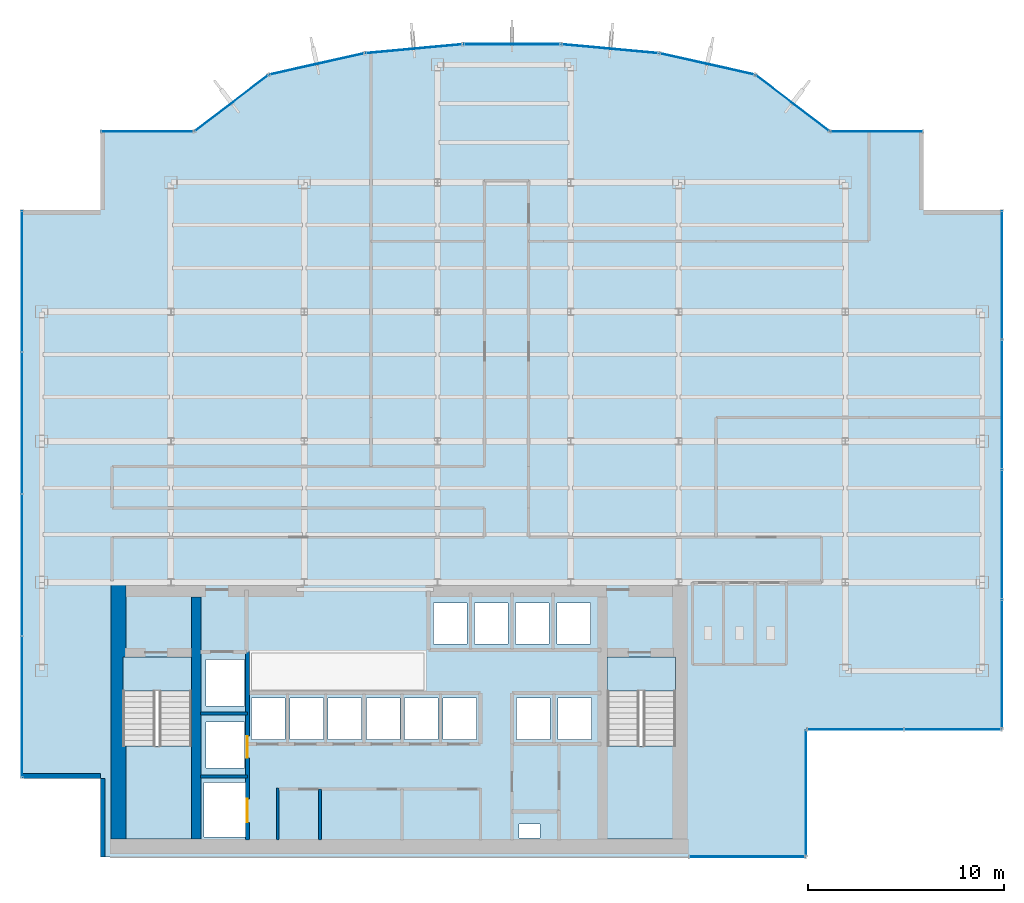
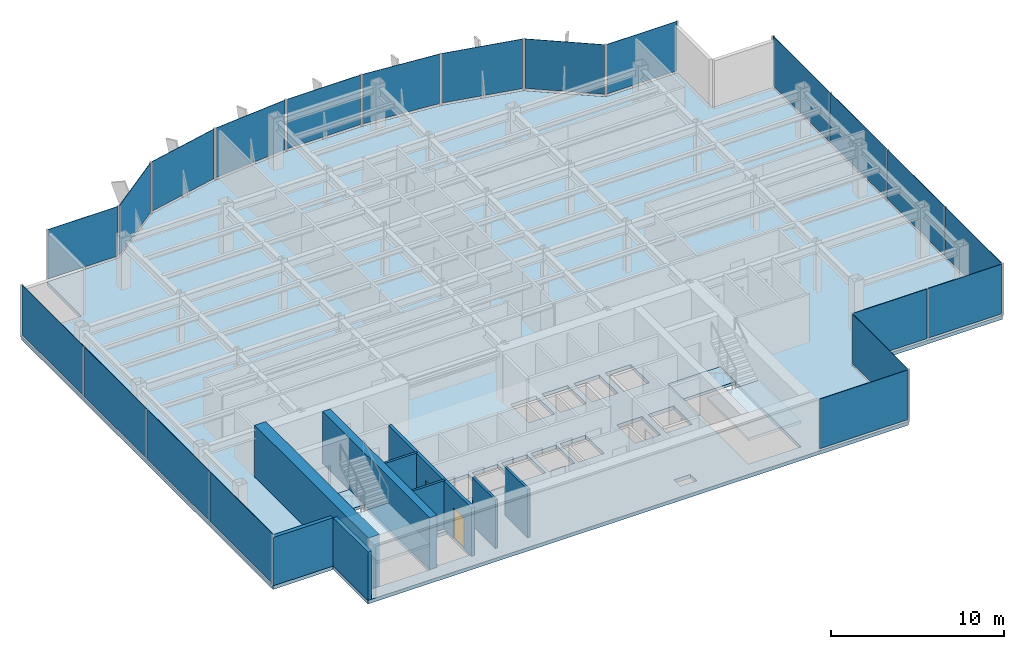
# One storey, part 19 of 25: 21 plates, 9 walls, 5 slabs, 2 doors, 2 openings, 16 elements without a shape of their own.
"""IFC4 building model written with IfcOpenShell, lengths in metres."""

from ifc_helpers import new_model, si_unit, derived_unit, direction, frame, frame_2d, origin, origin_2d, place, context, subcontext, project, spatial, polyline, rectangle, outline, extrude, source, transform, mapped, material, layer, layer_set, type_object, element, fill, aggregate, save


model = new_model("IFC4")

# Units and contexts
model_context = context("Model", 3, precision=1e-05, world=origin(), true_north=direction((0.0, 1.0)))
body_context = subcontext(model_context, "Body", "Model", "MODEL_VIEW")
ifc_project = project(units=[si_unit("LENGTHUNIT", "METRE"), si_unit("AREAUNIT", "SQUARE_METRE"), si_unit("VOLUMEUNIT", "CUBIC_METRE"), si_unit("PLANEANGLEUNIT", "RADIAN"), si_unit("MASSUNIT", "GRAM", prefix="KILO"), derived_unit("THERMALTRANSMITTANCEUNIT", [(si_unit("POWERUNIT", "WATT"), 1), (si_unit("LENGTHUNIT", "METRE"), -2), (si_unit("THERMODYNAMICTEMPERATUREUNIT", "KELVIN"), -1)])], contexts=[model_context])

# Site, building, storey
site_placement = place(None, origin())
site = spatial("IfcSite", under=ifc_project, at=site_placement, CompositionType="ELEMENT")
building_placement = place(site_placement, origin())
building = spatial("IfcBuilding", under=site, at=building_placement, Name="Skarnbrae Concourse Arena and Tower", CompositionType="ELEMENT")
storey_placement = place(building_placement, frame((0.0, 0.0, 147.89990234375)))
storey = spatial("IfcBuildingStorey", under=building, at=storey_placement, Name="L37", CompositionType="ELEMENT", Elevation=147.89990234375)

# Stair, slab
ifc_material_1 = material(Name="Concrete 40 MPa (C40/50)", Category="concrete")
stair_type = type_object("IfcStairType", Name="STAIR-DOGLEG-1650", PredefinedType="HALF_TURN_STAIR", material=ifc_material_1)
stair_1_placement = place(storey_placement, origin())
stair_1 = element("IfcStair", 1, at=stair_1_placement, inside=storey, type_object=stair_type, Name="L37 Protected Exit Stair ST-1", PredefinedType="HALF_TURN_STAIR")
ifc_layer_1 = layer(ifc_material_1, 0.199951171875)
ifc_layer_set_1 = layer_set([ifc_layer_1], Name="Concrete 40 MPa (C40/50)")
slab_type_1 = type_object("IfcSlabType", Name="SLAB-LANDING-200", PredefinedType="LANDING", material=ifc_layer_set_1)
slab_1_placement = place(storey_placement, frame((0.0, 0.0, 1.625)))
slab_1 = element("IfcSlab", 2, at=slab_1_placement, type_object=slab_type_1, Name="ST-1 landing 1", PredefinedType="LANDING", context=body_context, shape_type="SweptSolid", body=[
    extrude(outline(polyline([(5.14990234375, 5.64990234375), (5.14990234375, 0.89990234375), (8.64990234375, 0.89990234375), (8.64990234375, 5.64990234375), (5.14990234375, 5.64990234375)])), origin(), (0.0, 0.0, 1.0), 0.2001953125),
])
aggregate(stair_1, [slab_1])

stair_2_placement = place(storey_placement, origin())
stair_2 = element("IfcStair", 3, at=stair_2_placement, inside=storey, type_object=stair_type, Name="L37 Protected Exit Stair ST-2", PredefinedType="HALF_TURN_STAIR")
slab_2_placement = place(storey_placement, frame((0.0, 0.0, 1.625)))
slab_2 = element("IfcSlab", 4, at=slab_2_placement, type_object=slab_type_1, Name="ST-2 landing 1", PredefinedType="LANDING", context=body_context, shape_type="SweptSolid", body=[
    extrude(outline(polyline([(29.85009765625, 5.64990234375), (29.85009765625, 0.89990234375), (33.35009765625, 0.89990234375), (33.35009765625, 5.64990234375), (29.85009765625, 5.64990234375)])), origin(), (0.0, 0.0, 1.0), 0.2001953125),
])
aggregate(stair_2, [slab_2])

# Slabs
slab_3_placement = place(storey_placement, frame((0.0, 0.0, -0.199951171875)))
element("IfcSlab", 5, at=slab_3_placement, inside=storey, type_object=slab_type_1, Name="L37 Core stair ST1 floor landing", PredefinedType="LANDING", context=body_context, shape_type="SweptSolid", body=[
    extrude(outline(polyline([(5.14990234375, 10.199951171875), (5.14990234375, 8.449951171875), (8.64990234375, 8.449951171875), (8.64990234375, 10.199951171875), (5.14990234375, 10.199951171875)])), origin(), (0.0, 0.0, 1.0), 0.199951171875),
])
slab_4_placement = place(storey_placement, frame((0.0, 0.0, -0.199951171875)))
element("IfcSlab", 6, at=slab_4_placement, inside=storey, type_object=slab_type_1, Name="L37 Core stair ST2 floor landing", PredefinedType="LANDING", context=body_context, shape_type="SweptSolid", body=[
    extrude(outline(polyline([(29.85009765625, 10.199951171875), (29.85009765625, 8.449951171875), (33.35009765625, 8.449951171875), (33.35009765625, 10.199951171875), (29.85009765625, 10.199951171875)])), origin(), (0.0, 0.0, 1.0), 0.199951171875),
])
ifc_layer_2 = layer(ifc_material_1, 0.25)
ifc_layer_set_2 = layer_set([ifc_layer_2], Name="Concrete 40 MPa (C40/50)")
slab_type_2 = type_object("IfcSlabType", Name="SLAB-TOWER-250", PredefinedType="FLOOR", material=ifc_layer_set_2)
slab_5_placement = place(storey_placement, frame((0.0, 0.0, -0.25)))
element("IfcSlab", 7, at=slab_5_placement, inside=storey, type_object=slab_type_2, Name="L37 Structural floor slab", PredefinedType="FLOOR", context=body_context, shape_type="SweptSolid", body=[
    extrude(outline(polyline([(4.0, 0.0), (40.0, 0.0), (40.0, 6.5), (50.0, 6.5), (50.0, 33.0), (46.0, 33.0), (46.0, 37.0), (41.199951171875, 37.0), (37.409423828125, 39.892578125), (32.51220703125, 40.98681640625), (27.51123046875, 41.445556640625), (22.48876953125, 41.445556640625), (17.48779296875, 40.98681640625), (12.590576171875, 39.892578125), (8.800048828125, 37.0), (4.0, 37.0), (4.0, 33.0), (0.0, 33.0), (0.0, 4.0), (4.0, 4.0), (4.0, 0.0)]), holes=[polyline([(9.294921875, 3.780029296875), (11.455078125, 3.780029296875), (11.455078125, 1.02001953125), (9.294921875, 1.02001953125), (9.294921875, 3.780029296875)]), polyline([(8.64990234375, 10.199951171875), (8.64990234375, 0.89990234375), (5.14990234375, 0.89990234375), (5.14990234375, 10.199951171875), (8.64990234375, 10.199951171875)]), polyline([(9.39501953125, 6.8798828125), (11.35498046875, 6.8798828125), (11.35498046875, 4.52001953125), (9.39501953125, 4.52001953125), (9.39501953125, 6.8798828125)]), polyline([(11.719970703125, 8.10498046875), (13.429931640625, 8.10498046875), (13.429931640625, 5.9951171875), (11.719970703125, 5.9951171875), (11.719970703125, 8.10498046875)]), polyline([(13.669921875, 8.10498046875), (15.3798828125, 8.10498046875), (15.3798828125, 5.9951171875), (13.669921875, 5.9951171875), (13.669921875, 8.10498046875)]), polyline([(15.6201171875, 8.10498046875), (17.330078125, 8.10498046875), (17.330078125, 5.9951171875), (15.6201171875, 5.9951171875), (15.6201171875, 8.10498046875)]), polyline([(17.570068359375, 8.10498046875), (19.280029296875, 8.10498046875), (19.280029296875, 5.9951171875), (17.570068359375, 5.9951171875), (17.570068359375, 8.10498046875)]), polyline([(21.22998046875, 8.10498046875), (21.22998046875, 5.9951171875), (19.52001953125, 5.9951171875), (19.52001953125, 8.10498046875), (21.22998046875, 8.10498046875)]), polyline([(11.35498046875, 10.054931640625), (11.35498046875, 7.695068359375), (9.39501953125, 7.695068359375), (9.39501953125, 10.054931640625), (11.35498046875, 10.054931640625)]), polyline([(25.35009765625, 1.669921875), (26.43994140625, 1.669921875), (26.43994140625, 0.949951171875), (25.35009765625, 0.949951171875), (25.35009765625, 1.669921875)]), polyline([(33.35009765625, 10.199951171875), (33.35009765625, 0.89990234375), (29.85009765625, 0.89990234375), (29.85009765625, 10.199951171875), (33.35009765625, 10.199951171875)]), polyline([(21.469970703125, 8.10498046875), (23.179931640625, 8.10498046875), (23.179931640625, 5.9951171875), (21.469970703125, 5.9951171875), (21.469970703125, 8.10498046875)]), polyline([(25.235107421875, 8.10498046875), (26.945068359375, 8.10498046875), (26.945068359375, 5.9951171875), (25.235107421875, 5.9951171875), (25.235107421875, 8.10498046875)]), polyline([(27.3349609375, 8.10498046875), (29.044921875, 8.10498046875), (29.044921875, 5.9951171875), (27.3349609375, 5.9951171875), (27.3349609375, 8.10498046875)]), polyline([(20.985107421875, 12.955078125), (22.695068359375, 12.955078125), (22.695068359375, 10.844970703125), (20.985107421875, 10.844970703125), (20.985107421875, 12.955078125)]), polyline([(23.0849609375, 12.955078125), (24.794921875, 12.955078125), (24.794921875, 10.844970703125), (23.0849609375, 10.844970703125), (23.0849609375, 12.955078125)]), polyline([(26.89501953125, 12.955078125), (26.89501953125, 10.844970703125), (25.18505859375, 10.844970703125), (25.18505859375, 12.955078125), (26.89501953125, 12.955078125)]), polyline([(28.9951171875, 12.955078125), (28.9951171875, 10.844970703125), (27.284912109375, 10.844970703125), (27.284912109375, 12.955078125), (28.9951171875, 12.955078125)])]), origin(), (0.0, 0.0, 1.0), 0.25),
])

# Curtain wall, plates
ifc_material_2 = material(Name="Bronze anodised aluminium 6063-T6", Category="aluminium")
curtain_wall_type = type_object("IfcCurtainWallType", Name="CW-SYS-04-MIDZONE", PredefinedType="USERDEFINED", material=ifc_material_2)
curtain_wall_1_placement = place(storey_placement, origin())
curtain_wall_1 = element("IfcCurtainWall", 8, at=curtain_wall_1_placement, inside=storey, type_object=curtain_wall_type, Name="L37 Unitised curtain wall CW-L37-E03", ObjectType="UNITISED CURTAIN WALL", PredefinedType="USERDEFINED")
ifc_material_3 = material(Name="Low-E triple insulating glass", Category="glass")
ifc_layer_3 = layer(ifc_material_3, 0.031982421875)
ifc_layer_set_3 = layer_set([ifc_layer_3], Name="Low-E triple insulating glass")
plate_type = type_object("IfcPlateType", Name="CWP-CW-04", PredefinedType="CURTAIN_PANEL", material=ifc_layer_set_3)
shared_shape_1 = source(origin(), body_context, "Body", "SweptSolid", [
    extrude(rectangle(XDim=4.887451171875, YDim=0.031982421875, at=origin_2d()), origin(), (0.0, 0.0, 1.0), 3.489990234375),
])
plate_1_placement = place(storey_placement, frame((42.518798828125, 6.5, 0.16015625), z_axis=(0.0, 0.0, 1.0), x_axis=(1.0, 0.0, 0.0)))
plate_1 = element("IfcPlate", 9, at=plate_1_placement, type_object=plate_type, Name="CW-L37-E03 Low-E Glazing Panel 1", PredefinedType="CURTAIN_PANEL", context=body_context, shape_type="MappedRepresentation", body=[
    mapped(shared_shape_1, transform((0.0, 0.0, 0.0))),
])
plate_2_placement = place(storey_placement, frame((47.481201171875, 6.5, 0.16015625), z_axis=(0.0, 0.0, 1.0), x_axis=(1.0, 0.0, 0.0)))
plate_2 = element("IfcPlate", 10, at=plate_2_placement, type_object=plate_type, Name="CW-L37-E03 Low-E Glazing Panel 2", PredefinedType="CURTAIN_PANEL", context=body_context, shape_type="MappedRepresentation", body=[
    mapped(shared_shape_1, transform((0.0, 0.0, 0.0))),
])
aggregate(curtain_wall_1, [plate_1, plate_2])

# Curtain wall, plate
curtain_wall_2_placement = place(storey_placement, origin())
curtain_wall_2 = element("IfcCurtainWall", 11, at=curtain_wall_2_placement, inside=storey, type_object=curtain_wall_type, Name="L37 Unitised curtain wall CW-L37-SE-SPINE", ObjectType="UNITISED CURTAIN WALL", PredefinedType="USERDEFINED")
shared_shape_2 = source(origin(), body_context, "Body", "SweptSolid", [
    extrude(rectangle(XDim=5.85009765625, YDim=0.031982421875, at=origin_2d()), origin(), (0.0, 0.0, 1.0), 3.489990234375),
])
plate_3_placement = place(storey_placement, frame((37.0, 0.0, 0.16015625), z_axis=(0.0, 0.0, 1.0), x_axis=(1.0, 0.0, 0.0)))
plate_3 = element("IfcPlate", 12, at=plate_3_placement, type_object=plate_type, Name="CW-L37-SE-SPINE Low-E Glazing Panel 1", PredefinedType="CURTAIN_PANEL", context=body_context, shape_type="MappedRepresentation", body=[
    mapped(shared_shape_2, transform((0.0, 0.0, 0.0))),
])
aggregate(curtain_wall_2, [plate_3])

curtain_wall_3_placement = place(storey_placement, origin())
curtain_wall_3 = element("IfcCurtainWall", 13, at=curtain_wall_3_placement, inside=storey, type_object=curtain_wall_type, Name="L37 Unitised curtain wall CW-L37-E02", ObjectType="UNITISED CURTAIN WALL", PredefinedType="USERDEFINED")
shared_shape_3 = source(origin(), body_context, "Body", "SweptSolid", [
    extrude(rectangle(XDim=6.35009765625, YDim=0.031982421875, at=origin_2d()), origin(), (0.0, 0.0, 1.0), 3.489990234375),
])
plate_4_placement = place(storey_placement, frame((40.0, 3.25, 0.16015625), z_axis=(0.0, 0.0, 1.0), x_axis=(0.0, 1.0, 0.0)))
plate_4 = element("IfcPlate", 14, at=plate_4_placement, type_object=plate_type, Name="CW-L37-E02 Low-E Glazing Panel 1", PredefinedType="CURTAIN_PANEL", context=body_context, shape_type="MappedRepresentation", body=[
    mapped(shared_shape_3, transform((0.0, 0.0, 0.0))),
])
aggregate(curtain_wall_3, [plate_4])

curtain_wall_4_placement = place(storey_placement, origin())
curtain_wall_4 = element("IfcCurtainWall", 15, at=curtain_wall_4_placement, inside=storey, type_object=curtain_wall_type, Name="L37 Unitised curtain wall CW-L37-E07", ObjectType="UNITISED CURTAIN WALL", PredefinedType="USERDEFINED")
shared_shape_4 = source(origin(), body_context, "Body", "SweptSolid", [
    extrude(rectangle(XDim=4.64990234375, YDim=0.031982421875, at=origin_2d()), origin(), (0.0, 0.0, 1.0), 3.489990234375),
])
plate_5_placement = place(storey_placement, frame((43.60009765625, 37.0, 0.16015625), z_axis=(0.0, 0.0, 1.0), x_axis=(-1.0, 0.0, 0.0)))
plate_5 = element("IfcPlate", 16, at=plate_5_placement, type_object=plate_type, Name="CW-L37-E07 Low-E Glazing Panel 1", PredefinedType="CURTAIN_PANEL", context=body_context, shape_type="MappedRepresentation", body=[
    mapped(shared_shape_4, transform((0.0, 0.0, 0.0))),
])
aggregate(curtain_wall_4, [plate_5])

curtain_wall_5_placement = place(storey_placement, origin())
curtain_wall_5 = element("IfcCurtainWall", 17, at=curtain_wall_5_placement, inside=storey, type_object=curtain_wall_type, Name="L37 Unitised curtain wall CW-L37-E15", ObjectType="UNITISED CURTAIN WALL", PredefinedType="USERDEFINED")
plate_6_placement = place(storey_placement, frame((6.39990234375, 37.0, 0.16015625), z_axis=(0.0, 0.0, 1.0), x_axis=(-1.0, 0.0, 0.0)))
plate_6 = element("IfcPlate", 18, at=plate_6_placement, type_object=plate_type, Name="CW-L37-E15 Low-E Glazing Panel 1", PredefinedType="CURTAIN_PANEL", context=body_context, shape_type="MappedRepresentation", body=[
    mapped(shared_shape_4, transform((0.0, 0.0, 0.0))),
])
aggregate(curtain_wall_5, [plate_6])

curtain_wall_6_placement = place(storey_placement, origin())
curtain_wall_6 = element("IfcCurtainWall", 19, at=curtain_wall_6_placement, inside=storey, type_object=curtain_wall_type, Name="L37 Unitised curtain wall CW-L37-E08", ObjectType="UNITISED CURTAIN WALL", PredefinedType="USERDEFINED")
shared_shape_5 = source(origin(), body_context, "Body", "SweptSolid", [
    extrude(rectangle(XDim=4.6181640625, YDim=0.031982421875, at=origin_2d()), origin(), (0.0, 0.0, 1.0), 3.489990234375),
])
plate_7_placement = place(storey_placement, frame((39.3046875, 38.4462890625, 0.16015625), z_axis=(0.0, 0.0, 1.0), x_axis=(-0.794956000706, 0.606667089054, 0.0)))
plate_7 = element("IfcPlate", 20, at=plate_7_placement, type_object=plate_type, Name="CW-L37-E08 Low-E Glazing Panel 1", PredefinedType="CURTAIN_PANEL", context=body_context, shape_type="MappedRepresentation", body=[
    mapped(shared_shape_5, transform((0.0, 0.0, 0.0))),
])
aggregate(curtain_wall_6, [plate_7])

curtain_wall_7_placement = place(storey_placement, origin())
curtain_wall_7 = element("IfcCurtainWall", 21, at=curtain_wall_7_placement, inside=storey, type_object=curtain_wall_type, Name="L37 Unitised curtain wall CW-L37-E14", ObjectType="UNITISED CURTAIN WALL", PredefinedType="USERDEFINED")
plate_8_placement = place(storey_placement, frame((10.6953125, 38.4462890625, 0.16015625), z_axis=(0.0, 0.0, 1.0), x_axis=(-0.794956000706, -0.606667089054, 0.0)))
plate_8 = element("IfcPlate", 22, at=plate_8_placement, type_object=plate_type, Name="CW-L37-E14 Low-E Glazing Panel 1", PredefinedType="CURTAIN_PANEL", context=body_context, shape_type="MappedRepresentation", body=[
    mapped(shared_shape_5, transform((0.0, 0.0, 0.0))),
])
aggregate(curtain_wall_7, [plate_8])

curtain_wall_8_placement = place(storey_placement, origin())
curtain_wall_8 = element("IfcCurtainWall", 23, at=curtain_wall_8_placement, inside=storey, type_object=curtain_wall_type, Name="L37 Unitised curtain wall CW-L37-E09", ObjectType="UNITISED CURTAIN WALL", PredefinedType="USERDEFINED")
shared_shape_6 = source(origin(), body_context, "Body", "SweptSolid", [
    extrude(rectangle(XDim=4.867919921875, YDim=0.031982421875, at=origin_2d()), origin(), (0.0, 0.0, 1.0), 3.489990234375),
])
plate_9_placement = place(storey_placement, frame((34.9609375, 40.439697265625, 0.16015625), z_axis=(0.0, 0.0, 1.0), x_axis=(-0.975936175393, 0.218056372433, 0.0)))
plate_9 = element("IfcPlate", 24, at=plate_9_placement, type_object=plate_type, Name="CW-L37-E09 Low-E Glazing Panel 1", PredefinedType="CURTAIN_PANEL", context=body_context, shape_type="MappedRepresentation", body=[
    mapped(shared_shape_6, transform((0.0, 0.0, 0.0))),
])
aggregate(curtain_wall_8, [plate_9])

curtain_wall_9_placement = place(storey_placement, origin())
curtain_wall_9 = element("IfcCurtainWall", 25, at=curtain_wall_9_placement, inside=storey, type_object=curtain_wall_type, Name="L37 Unitised curtain wall CW-L37-E13", ObjectType="UNITISED CURTAIN WALL", PredefinedType="USERDEFINED")
plate_10_placement = place(storey_placement, frame((15.0390625, 40.439697265625, 0.16015625), z_axis=(0.0, 0.0, 1.0), x_axis=(-0.975936175393, -0.218056372433, 0.0)))
plate_10 = element("IfcPlate", 26, at=plate_10_placement, type_object=plate_type, Name="CW-L37-E13 Low-E Glazing Panel 1", PredefinedType="CURTAIN_PANEL", context=body_context, shape_type="MappedRepresentation", body=[
    mapped(shared_shape_6, transform((0.0, 0.0, 0.0))),
])
aggregate(curtain_wall_9, [plate_10])

curtain_wall_10_placement = place(storey_placement, origin())
curtain_wall_10 = element("IfcCurtainWall", 27, at=curtain_wall_10_placement, inside=storey, type_object=curtain_wall_type, Name="L37 Unitised curtain wall CW-L37-E10", ObjectType="UNITISED CURTAIN WALL", PredefinedType="USERDEFINED")
shared_shape_7 = source(origin(), body_context, "Body", "SweptSolid", [
    extrude(rectangle(XDim=4.8720703125, YDim=0.031982421875, at=origin_2d()), origin(), (0.0, 0.0, 1.0), 3.489990234375),
])
plate_11_placement = place(storey_placement, frame((30.01171875, 41.21630859375, 0.16015625), z_axis=(0.0, 0.0, 1.0), x_axis=(-0.995819926016, 0.091338244731, 0.0)))
plate_11 = element("IfcPlate", 28, at=plate_11_placement, type_object=plate_type, Name="CW-L37-E10 Low-E Glazing Panel 1", PredefinedType="CURTAIN_PANEL", context=body_context, shape_type="MappedRepresentation", body=[
    mapped(shared_shape_7, transform((0.0, 0.0, 0.0))),
])
aggregate(curtain_wall_10, [plate_11])

curtain_wall_11_placement = place(storey_placement, origin())
curtain_wall_11 = element("IfcCurtainWall", 29, at=curtain_wall_11_placement, inside=storey, type_object=curtain_wall_type, Name="L37 Unitised curtain wall CW-L37-E12", ObjectType="UNITISED CURTAIN WALL", PredefinedType="USERDEFINED")
plate_12_placement = place(storey_placement, frame((19.98828125, 41.21630859375, 0.16015625), z_axis=(0.0, 0.0, 1.0), x_axis=(-0.995819926016, -0.091338244731, 0.0)))
plate_12 = element("IfcPlate", 30, at=plate_12_placement, type_object=plate_type, Name="CW-L37-E12 Low-E Glazing Panel 1", PredefinedType="CURTAIN_PANEL", context=body_context, shape_type="MappedRepresentation", body=[
    mapped(shared_shape_7, transform((0.0, 0.0, 0.0))),
])
aggregate(curtain_wall_11, [plate_12])

curtain_wall_12_placement = place(storey_placement, origin())
curtain_wall_12 = element("IfcCurtainWall", 31, at=curtain_wall_12_placement, inside=storey, type_object=curtain_wall_type, Name="L37 Unitised curtain wall CW-L37-E11", ObjectType="UNITISED CURTAIN WALL", PredefinedType="USERDEFINED")
shared_shape_8 = source(origin(), body_context, "Body", "SweptSolid", [
    extrude(rectangle(XDim=4.87255859375, YDim=0.031982421875, at=origin_2d()), origin(), (0.0, 0.0, 1.0), 3.489990234375),
])
plate_13_placement = place(storey_placement, frame((25.0, 41.445556640625, 0.16015625), z_axis=(0.0, 0.0, 1.0), x_axis=(-1.0, 0.0, 0.0)))
plate_13 = element("IfcPlate", 32, at=plate_13_placement, type_object=plate_type, Name="CW-L37-E11 Low-E Glazing Panel 1", PredefinedType="CURTAIN_PANEL", context=body_context, shape_type="MappedRepresentation", body=[
    mapped(shared_shape_8, transform((0.0, 0.0, 0.0))),
])
aggregate(curtain_wall_12, [plate_13])

# Curtain wall, plates
curtain_wall_13_placement = place(storey_placement, origin())
curtain_wall_13 = element("IfcCurtainWall", 33, at=curtain_wall_13_placement, inside=storey, type_object=curtain_wall_type, Name="L37 Unitised curtain wall CW-L37-E18", ObjectType="UNITISED CURTAIN WALL", PredefinedType="USERDEFINED")
shared_shape_9 = source(origin(), body_context, "Body", "SweptSolid", [
    extrude(rectangle(XDim=7.137451171875, YDim=0.031982421875, at=origin_2d()), origin(), (0.0, 0.0, 1.0), 3.489990234375),
])
plate_14_placement = place(storey_placement, frame((0.0, 29.356201171875, 0.16015625), z_axis=(0.0, 0.0, 1.0), x_axis=(0.0, -1.0, 0.0)))
plate_14 = element("IfcPlate", 34, at=plate_14_placement, type_object=plate_type, Name="CW-L37-E18 Low-E Glazing Panel 1", PredefinedType="CURTAIN_PANEL", context=body_context, shape_type="MappedRepresentation", body=[
    mapped(shared_shape_9, transform((0.0, 0.0, 0.0))),
])
plate_15_placement = place(storey_placement, frame((0.0, 7.643798828125, 0.16015625), z_axis=(0.0, 0.0, 1.0), x_axis=(0.0, -1.0, 0.0)))
plate_15 = element("IfcPlate", 35, at=plate_15_placement, type_object=plate_type, Name="CW-L37-E18 Low-E Glazing Panel 4", PredefinedType="CURTAIN_PANEL", context=body_context, shape_type="MappedRepresentation", body=[
    mapped(shared_shape_9, transform((0.0, 0.0, 0.0))),
])
shared_shape_10 = source(origin(), body_context, "Body", "SweptSolid", [
    extrude(rectangle(XDim=7.175048828125, YDim=0.031982421875, at=origin_2d()), origin(), (0.0, 0.0, 1.0), 3.489990234375),
])
plate_16_placement = place(storey_placement, frame((0.0, 22.125, 0.16015625), z_axis=(0.0, 0.0, 1.0), x_axis=(0.0, -1.0, 0.0)))
plate_16 = element("IfcPlate", 36, at=plate_16_placement, type_object=plate_type, Name="CW-L37-E18 Low-E Glazing Panel 2", PredefinedType="CURTAIN_PANEL", context=body_context, shape_type="MappedRepresentation", body=[
    mapped(shared_shape_10, transform((0.0, 0.0, 0.0))),
])
plate_17_placement = place(storey_placement, frame((0.0, 14.875, 0.16015625), z_axis=(0.0, 0.0, 1.0), x_axis=(0.0, -1.0, 0.0)))
plate_17 = element("IfcPlate", 37, at=plate_17_placement, type_object=plate_type, Name="CW-L37-E18 Low-E Glazing Panel 3", PredefinedType="CURTAIN_PANEL", context=body_context, shape_type="MappedRepresentation", body=[
    mapped(shared_shape_10, transform((0.0, 0.0, 0.0))),
])
aggregate(curtain_wall_13, [plate_14, plate_16, plate_17, plate_15])

curtain_wall_14_placement = place(storey_placement, origin())
curtain_wall_14 = element("IfcCurtainWall", 38, at=curtain_wall_14_placement, inside=storey, type_object=curtain_wall_type, Name="L37 Unitised curtain wall CW-L37-E04", ObjectType="UNITISED CURTAIN WALL", PredefinedType="USERDEFINED")
shared_shape_11 = source(origin(), body_context, "Body", "SweptSolid", [
    extrude(rectangle(XDim=6.512451171875, YDim=0.031982421875, at=origin_2d()), origin(), (0.0, 0.0, 1.0), 3.489990234375),
])
plate_18_placement = place(storey_placement, frame((50.0, 9.831298828125, 0.16015625), z_axis=(0.0, 0.0, 1.0), x_axis=(0.0, 1.0, 0.0)))
plate_18 = element("IfcPlate", 39, at=plate_18_placement, type_object=plate_type, Name="CW-L37-E04 Low-E Glazing Panel 1", PredefinedType="CURTAIN_PANEL", context=body_context, shape_type="MappedRepresentation", body=[
    mapped(shared_shape_11, transform((0.0, 0.0, 0.0))),
])
plate_19_placement = place(storey_placement, frame((50.0, 29.668701171875, 0.16015625), z_axis=(0.0, 0.0, 1.0), x_axis=(0.0, 1.0, 0.0)))
plate_19 = element("IfcPlate", 40, at=plate_19_placement, type_object=plate_type, Name="CW-L37-E04 Low-E Glazing Panel 4", PredefinedType="CURTAIN_PANEL", context=body_context, shape_type="MappedRepresentation", body=[
    mapped(shared_shape_11, transform((0.0, 0.0, 0.0))),
])
shared_shape_12 = source(origin(), body_context, "Body", "SweptSolid", [
    extrude(rectangle(XDim=6.550048828125, YDim=0.031982421875, at=origin_2d()), origin(), (0.0, 0.0, 1.0), 3.489990234375),
])
plate_20_placement = place(storey_placement, frame((50.0, 16.4375, 0.16015625), z_axis=(0.0, 0.0, 1.0), x_axis=(0.0, 1.0, 0.0)))
plate_20 = element("IfcPlate", 41, at=plate_20_placement, type_object=plate_type, Name="CW-L37-E04 Low-E Glazing Panel 2", PredefinedType="CURTAIN_PANEL", context=body_context, shape_type="MappedRepresentation", body=[
    mapped(shared_shape_12, transform((0.0, 0.0, 0.0))),
])
plate_21_placement = place(storey_placement, frame((50.0, 23.0625, 0.16015625), z_axis=(0.0, 0.0, 1.0), x_axis=(0.0, 1.0, 0.0)))
plate_21 = element("IfcPlate", 42, at=plate_21_placement, type_object=plate_type, Name="CW-L37-E04 Low-E Glazing Panel 3", PredefinedType="CURTAIN_PANEL", context=body_context, shape_type="MappedRepresentation", body=[
    mapped(shared_shape_12, transform((0.0, 0.0, 0.0))),
])
aggregate(curtain_wall_14, [plate_18, plate_20, plate_21, plate_19])

# Walls
ifc_material_4 = material(Name="Concrete 60 MPa (C60/75)", Category="concrete")
ifc_layer_4 = layer(ifc_material_4, 0.75)
ifc_layer_set_4 = layer_set([ifc_layer_4], Name="Concrete 60 MPa (C60/75)")
wall_type_1 = type_object("IfcWallType", Name="WALL-CORE-750-C60", PredefinedType="SHEAR", material=ifc_layer_set_4)
shared_shape_13 = source(origin(), body_context, "Body", "SweptSolid", [
    extrude(rectangle(XDim=13.10009765625, YDim=0.75, at=frame_2d((6.550048828125, 0.0))), origin(), (0.0, 0.0, 1.0), 3.650146484375),
])
wall_1_placement = place(storey_placement, frame((4.925048828125, 0.89990234375, 0.0), z_axis=(0.0, 0.0, 1.0), x_axis=(0.0, 1.0, 0.0)))
element("IfcWall", 43, at=wall_1_placement, inside=storey, type_object=wall_type_1, Name="L37 Rear core shear wall CW-W", PredefinedType="SHEAR", context=body_context, shape_type="MappedRepresentation", body=[
    mapped(shared_shape_13, transform((0.0, 0.0, 0.0))),
])
ifc_layer_5 = layer(ifc_material_4, 0.5)
ifc_layer_set_5 = layer_set([ifc_layer_5], Name="Concrete 60 MPa (C60/75)")
wall_type_2 = type_object("IfcWallType", Name="WALL-CORE-500-C60", PredefinedType="SHEAR", material=ifc_layer_set_5)
shared_shape_14 = source(origin(), body_context, "Body", "SweptSolid", [
    extrude(rectangle(XDim=12.35009765625, YDim=0.5, at=frame_2d((6.175048828125, 0.0))), origin(), (0.0, 0.0, 1.0), 3.650146484375),
])
wall_2_placement = place(storey_placement, frame((8.889892578125, 0.89990234375, 0.0), z_axis=(0.0, 0.0, 1.0), x_axis=(0.0, 1.0, 0.0)))
element("IfcWall", 44, at=wall_2_placement, inside=storey, type_object=wall_type_2, Name="L37 Rear core shear wall CW-WEB-W", PredefinedType="SHEAR", context=body_context, shape_type="MappedRepresentation", body=[
    mapped(shared_shape_14, transform((0.0, 0.0, 0.0))),
])
ifc_material_5 = material(Name="Precast concrete 40 MPa (C40/50)", Category="concrete")
ifc_layer_6 = layer(ifc_material_5, 0.25)
ifc_layer_set_6 = layer_set([ifc_layer_6], Name="Precast concrete 40 MPa (C40/50)")
wall_type_3 = type_object("IfcWallType", Name="WALL-EXT-SPANDREL-250", PredefinedType="STANDARD", material=ifc_layer_set_6)
shared_shape_15 = source(origin(), body_context, "Body", "SweptSolid", [
    extrude(rectangle(XDim=4.0, YDim=0.25, at=frame_2d((2.0, 0.0))), origin(), (0.0, 0.0, 1.0), 3.400146484375),
])
for number, where, z_axis, x_axis, name in (
    (45, (0.0, 4.125, 0.0), (0.0, 0.0, 1.0), (1.0, 0.0, 0.0), "L37 Notched corner insulated return wall 19"),
    (46, (4.125, 4.0, 0.0), (0.0, 0.0, 1.0), (0.0, -1.0, 0.0), "L37 Notched corner insulated return wall 20"),
):
    element("IfcWall", number, at=place(storey_placement, frame(where, z_axis=z_axis, x_axis=x_axis)), inside=storey, type_object=wall_type_3, Name=name, PredefinedType="STANDARD", context=body_context, shape_type="MappedRepresentation", body=[
        mapped(shared_shape_15, transform((0.0, 0.0, 0.0))),
    ])

# Wall, openings, doors
ifc_material_6 = material(Name="Gypsum board on cold-formed steel studs", Category="steel")
ifc_layer_7 = layer(ifc_material_6, 0.199951171875)
ifc_layer_set_7 = layer_set([ifc_layer_7], Name="Gypsum board on cold-formed steel studs")
wall_type_4 = type_object("IfcWallType", Name="WALL-PART-200-2HR", PredefinedType="PARTITIONING", material=ifc_layer_set_7)
shared_shape_16 = source(origin(), body_context, "Body", "SweptSolid", [
    extrude(rectangle(XDim=9.599853515625, YDim=0.199951171875, at=frame_2d((4.7998046875, 0.0))), origin(), (0.0, 0.0, 1.0), 3.400146484375),
])
wall_3_placement = place(storey_placement, frame((11.5, 0.85009765625, 0.0), z_axis=(0.0, 0.0, 1.0), x_axis=(0.0, 1.0, 0.0)))
wall_3 = element("IfcWall", 47, at=wall_3_placement, inside=storey, type_object=wall_type_4, Name="L37 Interior partition wall W-L37-FL-E", PredefinedType="PARTITIONING", context=body_context, shape_type="MappedRepresentation", body=[
    mapped(shared_shape_16, transform((0.0, 0.0, 0.0))),
])
opening_1_placement = place(wall_3_placement, frame((4.199951171875, 0.0, 0.0)))
opening_1 = element("IfcOpeningElement", 48, at=opening_1_placement, cuts=wall_3, Name="Opening LD-01", PredefinedType="OPENING", context=body_context, shape_type="SweptSolid", body=[
    extrude(rectangle(XDim=1.10009765625, YDim=2.14990234375, at=frame_2d((0.550048828125, 1.074951171875))), frame((0.0, 0.10986328125, 0.0), z_axis=(0.0, -1.0, 0.0), x_axis=(1.0, 0.0, 0.0)), (0.0, 0.0, 1.0), 0.219970703125),
])
opening_2_placement = place(wall_3_placement, frame((0.89990234375, 0.0, 0.0)))
opening_2 = element("IfcOpeningElement", 49, at=opening_2_placement, cuts=wall_3, Name="Opening LD-02", PredefinedType="OPENING", context=body_context, shape_type="SweptSolid", body=[
    extrude(rectangle(XDim=1.199951171875, YDim=2.14990234375, at=frame_2d((0.60009765625, 1.074951171875))), frame((0.0, 0.10986328125, 0.0), z_axis=(0.0, -1.0, 0.0), x_axis=(1.0, 0.0, 0.0)), (0.0, 0.0, 1.0), 0.219970703125),
])
ifc_material_7 = material(Name="Steel CSA G40.21 350W", Category="steel")
door_type_1 = type_object("IfcDoorType", Name="DOOR-LIFT-SLIDE-1100", OperationType="SLIDING_TO_LEFT", PredefinedType="DOOR", material=ifc_material_7)
shared_shape_17 = source(origin(), body_context, "Body", "SweptSolid", [
    extrude(rectangle(XDim=1.10009765625, YDim=2.14990234375, at=frame_2d((0.550048828125, 1.074951171875))), frame((0.0, 0.02490234375, 0.0), z_axis=(0.0, -1.0, 0.0), x_axis=(1.0, 0.0, 0.0)), (0.0, 0.0, 1.0), 0.050048828125),
])
door_1_placement = place(opening_1_placement, frame((1.10009765625, 0.0, 0.0), z_axis=(0.0, 0.0, 1.0), x_axis=(-1.0, 0.0, 0.0)))
door_1 = element("IfcDoor", 50, at=door_1_placement, inside=storey, type_object=door_type_1, Name="D-1159 Firefighting Lift Landing Door FL-02", OperationType="SLIDING_TO_LEFT", OverallHeight=2.14990234375, OverallWidth=1.10009765625, PredefinedType="DOOR", context=body_context, shape_type="MappedRepresentation", body=[
    mapped(shared_shape_17, transform((0.0, 0.0, 0.0))),
])
fill(opening_1, door_1)
door_type_2 = type_object("IfcDoorType", Name="DOOR-LIFT-SLIDE-1200", OperationType="SLIDING_TO_LEFT", PredefinedType="DOOR", material=ifc_material_7)
shared_shape_18 = source(origin(), body_context, "Body", "SweptSolid", [
    extrude(rectangle(XDim=1.199951171875, YDim=2.14990234375, at=frame_2d((0.60009765625, 1.074951171875))), frame((0.0, 0.02490234375, 0.0), z_axis=(0.0, -1.0, 0.0), x_axis=(1.0, 0.0, 0.0)), (0.0, 0.0, 1.0), 0.050048828125),
])
door_2_placement = place(opening_2_placement, frame((1.199951171875, 0.0, 0.0), z_axis=(0.0, 0.0, 1.0), x_axis=(-1.0, 0.0, 0.0)))
door_2 = element("IfcDoor", 51, at=door_2_placement, inside=storey, type_object=door_type_2, Name="D-1160 Service Lift Landing Door SV-01", OperationType="SLIDING_TO_LEFT", OverallHeight=2.14990234375, OverallWidth=1.199951171875, PredefinedType="DOOR", context=body_context, shape_type="MappedRepresentation", body=[
    mapped(shared_shape_18, transform((0.0, 0.0, 0.0))),
])
fill(opening_2, door_2)

# Walls
ifc_layer_8 = layer(ifc_material_6, 0.14990234375)
ifc_layer_set_8 = layer_set([ifc_layer_8], Name="Gypsum board on cold-formed steel studs")
wall_type_5 = type_object("IfcWallType", Name="WALL-PART-150", PredefinedType="PARTITIONING", material=ifc_layer_set_8)
shared_shape_19 = source(origin(), body_context, "Body", "SweptSolid", [
    extrude(rectangle(XDim=2.39990234375, YDim=0.14990234375, at=frame_2d((1.199951171875, 0.0))), origin(), (0.0, 0.0, 1.0), 3.400146484375),
])
for number, where, z_axis, x_axis, name in (
    (52, (9.10009765625, 4.10009765625, 0.0), (0.0, 0.0, 1.0), (1.0, 0.0, 0.0), "L37 Interior partition wall W-L37-FL-D1"),
    (53, (9.10009765625, 7.300048828125, 0.0), (0.0, 0.0, 1.0), (1.0, 0.0, 0.0), "L37 Interior partition wall W-L37-FL-D2"),
):
    element("IfcWall", number, at=place(storey_placement, frame(where, z_axis=z_axis, x_axis=x_axis)), inside=storey, type_object=wall_type_5, Name=name, PredefinedType="PARTITIONING", context=body_context, shape_type="MappedRepresentation", body=[
        mapped(shared_shape_19, transform((0.0, 0.0, 0.0))),
    ])
shared_shape_20 = source(origin(), body_context, "Body", "SweptSolid", [
    extrude(rectangle(XDim=2.599853515625, YDim=0.14990234375, at=frame_2d((1.2998046875, 0.0))), origin(), (0.0, 0.0, 1.0), 3.400146484375),
])
wall_4_placement = place(storey_placement, frame((15.199951171875, 0.85009765625, 0.0), z_axis=(0.0, 0.0, 1.0), x_axis=(0.0, 1.0, 0.0)))
element("IfcWall", 54, at=wall_4_placement, inside=storey, type_object=wall_type_5, Name="L37 Interior partition wall W-L37-B1M-C1", PredefinedType="PARTITIONING", context=body_context, shape_type="MappedRepresentation", body=[
    mapped(shared_shape_20, transform((0.0, 0.0, 0.0))),
])
ifc_layer_9 = layer(ifc_material_6, 0.14990234375)
ifc_layer_set_9 = layer_set([ifc_layer_9], Name="Gypsum board on cold-formed steel studs")
wall_type_6 = type_object("IfcWallType", Name="WALL-PART-150-1HR", PredefinedType="PARTITIONING", material=ifc_layer_set_9)
shared_shape_21 = source(origin(), body_context, "Body", "SweptSolid", [
    extrude(rectangle(XDim=2.64990234375, YDim=0.14990234375, at=frame_2d((1.324951171875, 0.0))), origin(), (0.0, 0.0, 1.0), 3.400146484375),
])
wall_5_placement = place(storey_placement, frame((13.050048828125, 0.85009765625, 0.0), z_axis=(0.0, 0.0, 1.0), x_axis=(0.0, 1.0, 0.0)))
element("IfcWall", 55, at=wall_5_placement, inside=storey, type_object=wall_type_6, Name="L37 Interior partition wall W-L37-B1M-W", PredefinedType="PARTITIONING", context=body_context, shape_type="MappedRepresentation", body=[
    mapped(shared_shape_21, transform((0.0, 0.0, 0.0))),
])

save(model, "model.ifc")
